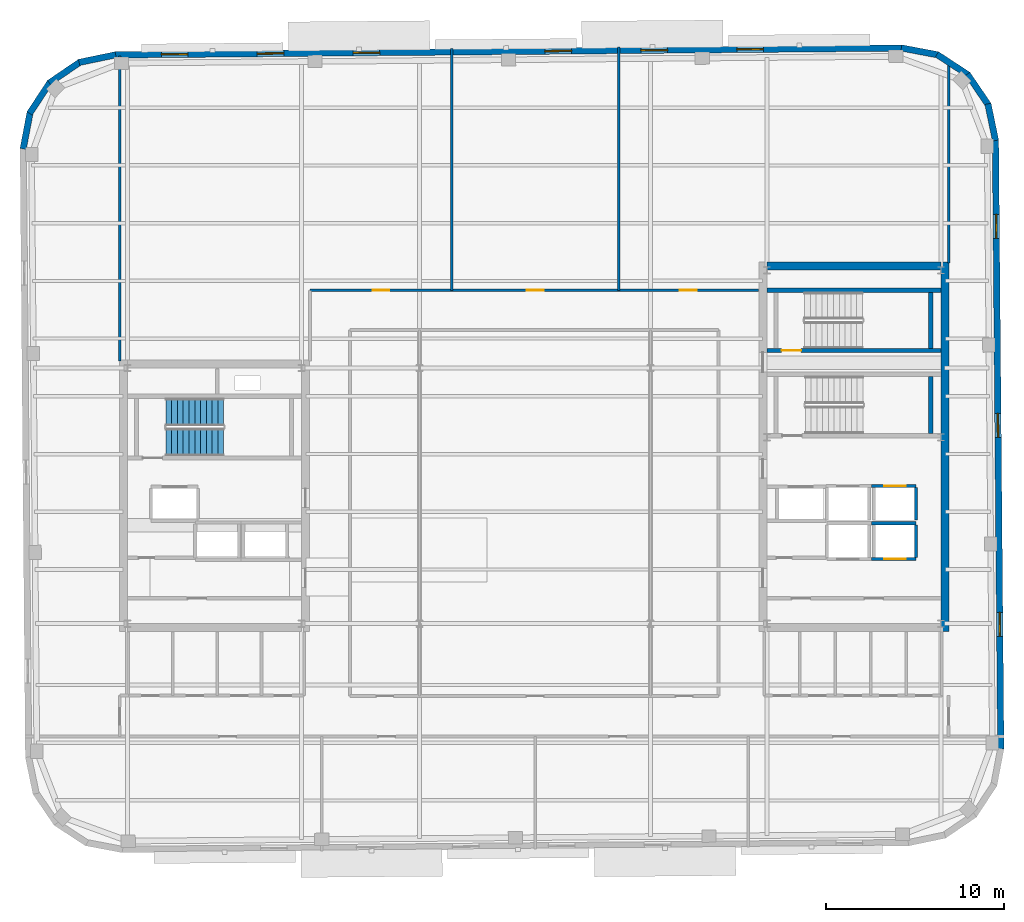
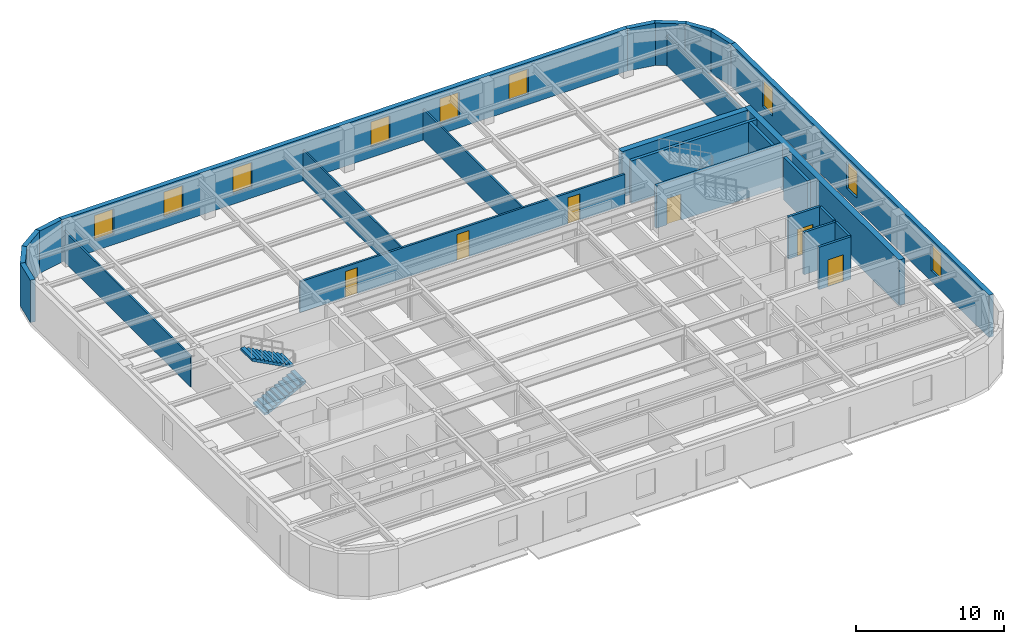
# One storey, part 9 of 13: 26 walls, 9 windows, 6 doors, 2 stair flights, 15 openings, 1 element without a shape of its own.
"""IFC4 building model written with IfcOpenShell, lengths in metres."""

from ifc_helpers import new_model, si_unit, direction, frame, frame_2d, origin, place, context, subcontext, project, spatial, polyline, rectangle, outline, extrude, material, layer, layer_set, type_object, element, fill, aggregate, save


model = new_model("IFC4")

# Units and contexts
model_context = context("Model", 3, precision=1e-05, world=origin(), true_north=direction((0.0, 1.0)))
body_context = subcontext(model_context, "Body", "Model", "MODEL_VIEW")
ifc_project = project(units=[si_unit("LENGTHUNIT", "METRE"), si_unit("AREAUNIT", "SQUARE_METRE"), si_unit("VOLUMEUNIT", "CUBIC_METRE"), si_unit("PLANEANGLEUNIT", "RADIAN"), si_unit("MASSUNIT", "GRAM", prefix="KILO")], contexts=[model_context])

# Site, building, storey
site_placement = place(None, origin())
site = spatial("IfcSite", under=ifc_project, at=site_placement, CompositionType="ELEMENT")
building_placement = place(site_placement, origin())
building = spatial("IfcBuilding", under=site, at=building_placement, Name="Kolvaren Arena Tower", CompositionType="ELEMENT")
storey_placement = place(building_placement, frame((0.0, 0.0, 278.64990234375)))
storey = spatial("IfcBuildingStorey", under=building, at=storey_placement, Name="L68", CompositionType="ELEMENT", Elevation=278.64990234375)

# Wall, openings, doors
ifc_material_1 = material(Name="Gypsum board acoustic assembly", Category="gypsum")
ifc_layer_1 = layer(ifc_material_1, 0.159912109375)
ifc_layer_set_1 = layer_set([ifc_layer_1], Name="Gypsum board acoustic assembly")
wall_type_1 = type_object("IfcWallType", Name="CORR-160", PredefinedType="PARTITIONING", material=ifc_layer_set_1)
wall_1_placement = place(storey_placement, frame((24.820068359375, 38.219970703125, 0.0), z_axis=(0.0, 0.0, 1.0), x_axis=(1.0, 0.0, 0.0)))
wall_1 = element("IfcWall", 1, at=wall_1_placement, inside=storey, type_object=wall_type_1, Name="Interior Partition Wall (L68)", PredefinedType="PARTITIONING", context=body_context, shape_type="SweptSolid", body=[
    extrude(rectangle(XDim=25.260009765625, YDim=0.159912109375, at=frame_2d((12.6298828125, 0.0))), origin(), (0.0, 0.0, 1.0), 2.5400390625),
])
opening_1_placement = place(wall_1_placement, frame((3.530029296875, 0.0, 0.0)))
opening_1 = element("IfcOpeningElement", 2, at=opening_1_placement, cuts=wall_1, Name="Opening D05", PredefinedType="OPENING", context=body_context, shape_type="SweptSolid", body=[
    extrude(rectangle(XDim=0.949951171875, YDim=2.14990234375, at=frame_2d((0.47509765625, 1.074951171875))), frame((0.0, 0.08984375, 0.0), z_axis=(0.0, -1.0, 0.0), x_axis=(1.0, 0.0, 0.0)), (0.0, 0.0, 1.0), 0.179931640625),
])
opening_2_placement = place(wall_1_placement, frame((12.205078125, 0.0, 0.0)))
opening_2 = element("IfcOpeningElement", 3, at=opening_2_placement, cuts=wall_1, Name="Opening D05", PredefinedType="OPENING", context=body_context, shape_type="SweptSolid", body=[
    extrude(rectangle(XDim=0.949951171875, YDim=2.14990234375, at=frame_2d((0.47509765625, 1.074951171875))), frame((0.0, 0.08984375, 0.0), z_axis=(0.0, -1.0, 0.0), x_axis=(1.0, 0.0, 0.0)), (0.0, 0.0, 1.0), 0.179931640625),
])
opening_3_placement = place(wall_1_placement, frame((20.830078125, 0.0, 0.0)))
opening_3 = element("IfcOpeningElement", 4, at=opening_3_placement, cuts=wall_1, Name="Opening D05", PredefinedType="OPENING", context=body_context, shape_type="SweptSolid", body=[
    extrude(rectangle(XDim=0.949951171875, YDim=2.14990234375, at=frame_2d((0.47509765625, 1.074951171875))), frame((0.0, 0.08984375, 0.0), z_axis=(0.0, -1.0, 0.0), x_axis=(1.0, 0.0, 0.0)), (0.0, 0.0, 1.0), 0.179931640625),
])
ifc_material_2 = material(Name="Solid-core oak acoustic office door", Category="wood")
door_type_1 = type_object("IfcDoorType", Name="DOOR-OF-095", OperationType="NOTDEFINED", PredefinedType="DOOR", material=ifc_material_2)
door_1_placement = place(opening_1_placement, origin())
door_1 = element("IfcDoor", 5, at=door_1_placement, inside=storey, type_object=door_type_1, Name="Corporate Project Office Door (L68)", OperationType="SINGLE_SWING_RIGHT", OverallHeight=2.14990234375, OverallWidth=0.949951171875, PredefinedType="DOOR", context=body_context, shape_type="SweptSolid", body=[
    extrude(rectangle(XDim=0.949951171875, YDim=2.14990234375, at=frame_2d((0.47509765625, 1.074951171875))), frame((0.0, 0.02490234375, 0.0), z_axis=(0.0, -1.0, 0.0), x_axis=(1.0, 0.0, 0.0)), (0.0, 0.0, 1.0), 0.050048828125),
])
fill(opening_1, door_1)
door_2_placement = place(opening_2_placement, origin())
door_2 = element("IfcDoor", 6, at=door_2_placement, inside=storey, type_object=door_type_1, Name="Breakout Pantry and Kitchen Door (L68)", OperationType="SINGLE_SWING_LEFT", OverallHeight=2.14990234375, OverallWidth=0.949951171875, PredefinedType="DOOR", context=body_context, shape_type="SweptSolid", body=[
    extrude(rectangle(XDim=0.949951171875, YDim=2.14990234375, at=frame_2d((0.47509765625, 1.074951171875))), frame((0.0, 0.02490234375, 0.0), z_axis=(0.0, -1.0, 0.0), x_axis=(1.0, 0.0, 0.0)), (0.0, 0.0, 1.0), 0.050048828125),
])
fill(opening_2, door_2)
door_3_placement = place(opening_3_placement, origin())
door_3 = element("IfcDoor", 7, at=door_3_placement, inside=storey, type_object=door_type_1, Name="Wellness Room Door (L68)", OperationType="SINGLE_SWING_RIGHT", OverallHeight=2.14990234375, OverallWidth=0.949951171875, PredefinedType="DOOR", context=body_context, shape_type="SweptSolid", body=[
    extrude(rectangle(XDim=0.949951171875, YDim=2.14990234375, at=frame_2d((0.47509765625, 1.074951171875))), frame((0.0, 0.02490234375, 0.0), z_axis=(0.0, -1.0, 0.0), x_axis=(1.0, 0.0, 0.0)), (0.0, 0.0, 1.0), 0.050048828125),
])
fill(opening_3, door_3)

# Walls
ifc_material_3 = material(Name="Concrete 55 MPa", Category="concrete")
ifc_layer_2 = layer(ifc_material_3, 0.449951171875)
ifc_layer_set_2 = layer_set([ifc_layer_2], Name="Concrete 55 MPa")
wall_type_2 = type_object("IfcWallType", Name="CWALL-450", PredefinedType="SHEAR", material=ifc_layer_set_2)
wall_2_placement = place(storey_placement, frame((60.574951171875, 19.0, -0.27001953125), z_axis=(0.0, 0.0, 1.0), x_axis=(0.0, 1.0, 0.0)))
element("IfcWall", 8, at=wall_2_placement, inside=storey, type_object=wall_type_2, Name="Core Shear Wall EC-EAST (L68)", PredefinedType="SHEAR", context=body_context, shape_type="SweptSolid", body=[
    extrude(rectangle(XDim=20.800048828125, YDim=0.449951171875, at=frame_2d((10.39990234375, 0.0))), origin(), (0.0, 0.0, 1.0), 3.75),
])
wall_3_placement = place(storey_placement, frame((50.550048828125, 39.574951171875, -0.27001953125), z_axis=(0.0, 0.0, 1.0), x_axis=(1.0, 0.0, 0.0)))
element("IfcWall", 9, at=wall_3_placement, inside=storey, type_object=wall_type_2, Name="Core Shear Wall EC-NORTH (L68)", PredefinedType="SHEAR", context=body_context, shape_type="SweptSolid", body=[
    extrude(rectangle(XDim=9.800048828125, YDim=0.449951171875, at=frame_2d((4.89990234375, 0.0))), origin(), (0.0, 0.0, 1.0), 3.75),
])

# Wall, openings, windows
ifc_material_4 = material(Name="Precast concrete C50/60", Category="concrete")
ifc_layer_3 = layer(ifc_material_4, 0.360107421875)
ifc_layer_set_3 = layer_set([ifc_layer_3], Name="Precast concrete C50/60")
wall_type_3 = type_object("IfcWallType", Name="EXT-PIER2", PredefinedType="SOLIDWALL", material=ifc_layer_set_3)
wall_4_placement = place(storey_placement, frame((63.419189453125, 46.688232421875, 0.0), z_axis=(0.0, 0.0, 1.0), x_axis=(0.008726391715, -0.999961924319, 0.0)))
wall_4 = element("IfcWall", 10, at=wall_4_placement, inside=storey, type_object=wall_type_3, Name="Exterior Precast Masonry-Frame Wall (L68)", PredefinedType="SOLIDWALL", context=body_context, shape_type="SweptSolid", body=[
    extrude(rectangle(XDim=34.300048828125, YDim=0.360107421875, at=frame_2d((17.14990234375, 0.0))), origin(), (0.0, 0.0, 1.0), 3.47998046875),
])
opening_4_placement = place(wall_4_placement, frame((4.199951171875, 0.0, 0.8798828125)))
opening_4 = element("IfcOpeningElement", 11, at=opening_4_placement, cuts=wall_4, Name="Opening W04", PredefinedType="OPENING", context=body_context, shape_type="SweptSolid", body=[
    extrude(rectangle(XDim=1.35009765625, YDim=2.199951171875, at=frame_2d((0.675048828125, 1.10009765625))), frame((0.0, 0.18994140625, 0.0), z_axis=(0.0, -1.0, 0.0), x_axis=(1.0, 0.0, 0.0)), (0.0, 0.0, 1.0), 0.380126953125),
])
opening_5_placement = place(wall_4_placement, frame((15.39990234375, 0.0, 0.8798828125)))
opening_5 = element("IfcOpeningElement", 12, at=opening_5_placement, cuts=wall_4, Name="Opening W04", PredefinedType="OPENING", context=body_context, shape_type="SweptSolid", body=[
    extrude(rectangle(XDim=1.35009765625, YDim=2.199951171875, at=frame_2d((0.675048828125, 1.10009765625))), frame((0.0, 0.18994140625, 0.0), z_axis=(0.0, -1.0, 0.0), x_axis=(1.0, 0.0, 0.0)), (0.0, 0.0, 1.0), 0.380126953125),
])
opening_6_placement = place(wall_4_placement, frame((26.60009765625, 0.0, 0.8798828125)))
opening_6 = element("IfcOpeningElement", 13, at=opening_6_placement, cuts=wall_4, Name="Opening W04", PredefinedType="OPENING", context=body_context, shape_type="SweptSolid", body=[
    extrude(rectangle(XDim=1.35009765625, YDim=2.199951171875, at=frame_2d((0.675048828125, 1.10009765625))), frame((0.0, 0.18994140625, 0.0), z_axis=(0.0, -1.0, 0.0), x_axis=(1.0, 0.0, 0.0)), (0.0, 0.0, 1.0), 0.380126953125),
])
ifc_material_5 = material(Name="Triple-glazed curved-facet corner window", Category="glass")
window_type_1 = type_object("IfcWindowType", Name="WIN-CRN-A", PartitioningType="SINGLE_PANEL", PredefinedType="WINDOW", material=ifc_material_5)
window_1_placement = place(opening_4_placement, origin())
window_1 = element("IfcWindow", 14, at=window_1_placement, inside=storey, type_object=window_type_1, Name="End-Wall Punched Window (L68)", OverallHeight=2.199951171875, OverallWidth=1.35009765625, PartitioningType="SINGLE_PANEL", PredefinedType="WINDOW", context=body_context, shape_type="SweptSolid", body=[
    extrude(rectangle(XDim=1.35009765625, YDim=2.199951171875, at=frame_2d((0.675048828125, 1.10009765625))), frame((0.0, 0.030029296875, 0.0), z_axis=(0.0, -1.0, 0.0), x_axis=(1.0, 0.0, 0.0)), (0.0, 0.0, 1.0), 0.06005859375),
])
fill(opening_4, window_1)
window_2_placement = place(opening_5_placement, origin())
window_2 = element("IfcWindow", 15, at=window_2_placement, inside=storey, type_object=window_type_1, Name="End-Wall Punched Window (L68)", OverallHeight=2.199951171875, OverallWidth=1.35009765625, PartitioningType="SINGLE_PANEL", PredefinedType="WINDOW", context=body_context, shape_type="SweptSolid", body=[
    extrude(rectangle(XDim=1.35009765625, YDim=2.199951171875, at=frame_2d((0.675048828125, 1.10009765625))), frame((0.0, 0.030029296875, 0.0), z_axis=(0.0, -1.0, 0.0), x_axis=(1.0, 0.0, 0.0)), (0.0, 0.0, 1.0), 0.06005859375),
])
fill(opening_5, window_2)
window_3_placement = place(opening_6_placement, origin())
window_3 = element("IfcWindow", 16, at=window_3_placement, inside=storey, type_object=window_type_1, Name="End-Wall Punched Window (L68)", OverallHeight=2.199951171875, OverallWidth=1.35009765625, PartitioningType="SINGLE_PANEL", PredefinedType="WINDOW", context=body_context, shape_type="SweptSolid", body=[
    extrude(rectangle(XDim=1.35009765625, YDim=2.199951171875, at=frame_2d((0.675048828125, 1.10009765625))), frame((0.0, 0.030029296875, 0.0), z_axis=(0.0, -1.0, 0.0), x_axis=(1.0, 0.0, 0.0)), (0.0, 0.0, 1.0), 0.06005859375),
])
fill(opening_6, window_3)

# Walls
for number, where, z_axis, x_axis, name in (
    (17, (62.993896484375, 48.7158203125, 0.0), (0.0, 0.0, 1.0), (0.203709000552, -0.979031482177, 0.0), "Exterior Precast Masonry-Frame Wall (L68)"),
    (18, (61.835693359375, 50.392822265625, 0.0), (0.0, 0.0, 1.0), (0.562829722645, -0.826572866302, 0.0), "Exterior Precast Masonry-Frame Wall (L68)"),
):
    element("IfcWall", number, at=place(storey_placement, frame(where, z_axis=z_axis, x_axis=x_axis)), inside=storey, type_object=wall_type_3, Name=name, PredefinedType="SOLIDWALL", context=body_context, shape_type="SweptSolid", body=[
        extrude(rectangle(XDim=2.10693359375, YDim=0.360107421875, at=frame_2d((1.053466796875, 0.0))), origin(), (0.0, 0.0, 1.0), 3.47998046875),
    ])
for number, where, z_axis, x_axis, name in (
    (19, (60.123779296875, 51.498779296875, 0.0), (0.0, 0.0, 1.0), (0.83632188969, -0.548238722478, 0.0), "Exterior Precast Masonry-Frame Wall (L68)"),
    (20, (58.118896484375, 51.865478515625, 0.0), (0.0, 0.0, 1.0), (0.982463107022, -0.186457081764, 0.0), "Exterior Precast Masonry-Frame Wall (L68)"),
):
    element("IfcWall", number, at=place(storey_placement, frame(where, z_axis=z_axis, x_axis=x_axis)), inside=storey, type_object=wall_type_3, Name=name, PredefinedType="SOLIDWALL", context=body_context, shape_type="SweptSolid", body=[
        extrude(rectangle(XDim=2.106689453125, YDim=0.360107421875, at=frame_2d((1.05322265625, 0.0))), origin(), (0.0, 0.0, 1.0), 3.47998046875),
    ])

# Wall, openings, windows
wall_5_placement = place(storey_placement, frame((13.855712890625, 51.475830078125, 0.0), z_axis=(0.0, 0.0, 1.0), x_axis=(0.999961944954, 0.008724026757, 0.0)))
wall_5 = element("IfcWall", 21, at=wall_5_placement, inside=storey, type_object=wall_type_3, Name="Exterior Precast Masonry-Frame Wall (L68)", PredefinedType="SOLIDWALL", context=body_context, shape_type="SweptSolid", body=[
    extrude(rectangle(XDim=44.300048828125, YDim=0.360107421875, at=frame_2d((22.14990234375, 0.0))), origin(), (0.0, 0.0, 1.0), 3.47998046875),
])
opening_7_placement = place(wall_5_placement, frame((2.60009765625, 0.0, 0.8798828125)))
opening_7 = element("IfcOpeningElement", 22, at=opening_7_placement, cuts=wall_5, Name="Opening W03", PredefinedType="OPENING", context=body_context, shape_type="SweptSolid", body=[
    extrude(rectangle(XDim=1.5, YDim=2.050048828125, at=frame_2d((0.75, 1.02490234375))), frame((0.0, 0.18994140625, 0.0), z_axis=(0.0, -1.0, 0.0), x_axis=(1.0, 0.0, 0.0)), (0.0, 0.0, 1.0), 0.380126953125),
])
opening_8_placement = place(wall_5_placement, frame((8.0, 0.0, 0.8798828125)))
opening_8 = element("IfcOpeningElement", 23, at=opening_8_placement, cuts=wall_5, Name="Opening W03", PredefinedType="OPENING", context=body_context, shape_type="SweptSolid", body=[
    extrude(rectangle(XDim=1.5, YDim=2.050048828125, at=frame_2d((0.75, 1.02490234375))), frame((0.0, 0.18994140625, 0.0), z_axis=(0.0, -1.0, 0.0), x_axis=(1.0, 0.0, 0.0)), (0.0, 0.0, 1.0), 0.380126953125),
])
opening_9_placement = place(wall_5_placement, frame((13.39990234375, 0.0, 0.8798828125)))
opening_9 = element("IfcOpeningElement", 24, at=opening_9_placement, cuts=wall_5, Name="Opening W03", PredefinedType="OPENING", context=body_context, shape_type="SweptSolid", body=[
    extrude(rectangle(XDim=1.5, YDim=2.050048828125, at=frame_2d((0.75, 1.02490234375))), frame((0.0, 0.18994140625, 0.0), z_axis=(0.0, -1.0, 0.0), x_axis=(1.0, 0.0, 0.0)), (0.0, 0.0, 1.0), 0.380126953125),
])
opening_10_placement = place(wall_5_placement, frame((24.199951171875, 0.0, 0.8798828125)))
opening_10 = element("IfcOpeningElement", 25, at=opening_10_placement, cuts=wall_5, Name="Opening W03", PredefinedType="OPENING", context=body_context, shape_type="SweptSolid", body=[
    extrude(rectangle(XDim=1.5, YDim=2.050048828125, at=frame_2d((0.75, 1.02490234375))), frame((0.0, 0.18994140625, 0.0), z_axis=(0.0, -1.0, 0.0), x_axis=(1.0, 0.0, 0.0)), (0.0, 0.0, 1.0), 0.380126953125),
])
opening_11_placement = place(wall_5_placement, frame((29.60009765625, 0.0, 0.8798828125)))
opening_11 = element("IfcOpeningElement", 26, at=opening_11_placement, cuts=wall_5, Name="Opening W03", PredefinedType="OPENING", context=body_context, shape_type="SweptSolid", body=[
    extrude(rectangle(XDim=1.5, YDim=2.050048828125, at=frame_2d((0.75, 1.02490234375))), frame((0.0, 0.18994140625, 0.0), z_axis=(0.0, -1.0, 0.0), x_axis=(1.0, 0.0, 0.0)), (0.0, 0.0, 1.0), 0.380126953125),
])
opening_12_placement = place(wall_5_placement, frame((35.0, 0.0, 0.8798828125)))
opening_12 = element("IfcOpeningElement", 27, at=opening_12_placement, cuts=wall_5, Name="Opening W03", PredefinedType="OPENING", context=body_context, shape_type="SweptSolid", body=[
    extrude(rectangle(XDim=1.5, YDim=2.050048828125, at=frame_2d((0.75, 1.02490234375))), frame((0.0, 0.18994140625, 0.0), z_axis=(0.0, -1.0, 0.0), x_axis=(1.0, 0.0, 0.0)), (0.0, 0.0, 1.0), 0.380126953125),
])
ifc_material_6 = material(Name="Triple-glazed low-E aluminium window", Category="aluminium")
window_type_2 = type_object("IfcWindowType", Name="WIN-OFF-C", PartitioningType="SINGLE_PANEL", PredefinedType="WINDOW", material=ifc_material_6)
window_4_placement = place(opening_7_placement, origin())
window_4 = element("IfcWindow", 28, at=window_4_placement, inside=storey, type_object=window_type_2, Name="Punched Precast-Pier Window (L68)", OverallHeight=2.050048828125, OverallWidth=1.5, PartitioningType="SINGLE_PANEL", PredefinedType="WINDOW", context=body_context, shape_type="SweptSolid", body=[
    extrude(rectangle(XDim=1.5, YDim=2.050048828125, at=frame_2d((0.75, 1.02490234375))), frame((0.0, 0.030029296875, 0.0), z_axis=(0.0, -1.0, 0.0), x_axis=(1.0, 0.0, 0.0)), (0.0, 0.0, 1.0), 0.06005859375),
])
fill(opening_7, window_4)
window_5_placement = place(opening_8_placement, origin())
window_5 = element("IfcWindow", 29, at=window_5_placement, inside=storey, type_object=window_type_2, Name="Punched Precast-Pier Window (L68)", OverallHeight=2.050048828125, OverallWidth=1.5, PartitioningType="SINGLE_PANEL", PredefinedType="WINDOW", context=body_context, shape_type="SweptSolid", body=[
    extrude(rectangle(XDim=1.5, YDim=2.050048828125, at=frame_2d((0.75, 1.02490234375))), frame((0.0, 0.030029296875, 0.0), z_axis=(0.0, -1.0, 0.0), x_axis=(1.0, 0.0, 0.0)), (0.0, 0.0, 1.0), 0.06005859375),
])
fill(opening_8, window_5)
window_6_placement = place(opening_9_placement, origin())
window_6 = element("IfcWindow", 30, at=window_6_placement, inside=storey, type_object=window_type_2, Name="Punched Precast-Pier Window (L68)", OverallHeight=2.050048828125, OverallWidth=1.5, PartitioningType="SINGLE_PANEL", PredefinedType="WINDOW", context=body_context, shape_type="SweptSolid", body=[
    extrude(rectangle(XDim=1.5, YDim=2.050048828125, at=frame_2d((0.75, 1.02490234375))), frame((0.0, 0.030029296875, 0.0), z_axis=(0.0, -1.0, 0.0), x_axis=(1.0, 0.0, 0.0)), (0.0, 0.0, 1.0), 0.06005859375),
])
fill(opening_9, window_6)
window_7_placement = place(opening_10_placement, origin())
window_7 = element("IfcWindow", 31, at=window_7_placement, inside=storey, type_object=window_type_2, Name="Punched Precast-Pier Window (L68)", OverallHeight=2.050048828125, OverallWidth=1.5, PartitioningType="SINGLE_PANEL", PredefinedType="WINDOW", context=body_context, shape_type="SweptSolid", body=[
    extrude(rectangle(XDim=1.5, YDim=2.050048828125, at=frame_2d((0.75, 1.02490234375))), frame((0.0, 0.030029296875, 0.0), z_axis=(0.0, -1.0, 0.0), x_axis=(1.0, 0.0, 0.0)), (0.0, 0.0, 1.0), 0.06005859375),
])
fill(opening_10, window_7)
window_8_placement = place(opening_11_placement, origin())
window_8 = element("IfcWindow", 32, at=window_8_placement, inside=storey, type_object=window_type_2, Name="Punched Precast-Pier Window (L68)", OverallHeight=2.050048828125, OverallWidth=1.5, PartitioningType="SINGLE_PANEL", PredefinedType="WINDOW", context=body_context, shape_type="SweptSolid", body=[
    extrude(rectangle(XDim=1.5, YDim=2.050048828125, at=frame_2d((0.75, 1.02490234375))), frame((0.0, 0.030029296875, 0.0), z_axis=(0.0, -1.0, 0.0), x_axis=(1.0, 0.0, 0.0)), (0.0, 0.0, 1.0), 0.06005859375),
])
fill(opening_11, window_8)
window_9_placement = place(opening_12_placement, origin())
window_9 = element("IfcWindow", 33, at=window_9_placement, inside=storey, type_object=window_type_2, Name="Punched Precast-Pier Window (L68)", OverallHeight=2.050048828125, OverallWidth=1.5, PartitioningType="SINGLE_PANEL", PredefinedType="WINDOW", context=body_context, shape_type="SweptSolid", body=[
    extrude(rectangle(XDim=1.5, YDim=2.050048828125, at=frame_2d((0.75, 1.02490234375))), frame((0.0, 0.030029296875, 0.0), z_axis=(0.0, -1.0, 0.0), x_axis=(1.0, 0.0, 0.0)), (0.0, 0.0, 1.0), 0.06005859375),
])
fill(opening_12, window_9)

# Walls
for number, where, z_axis, x_axis, name in (
    (34, (11.827880859375, 51.050537109375, 0.0), (0.0, 0.0, 1.0), (0.97905458633, 0.203597929717, 0.0), "Exterior Precast Masonry-Frame Wall (L68)"),
    (35, (10.15087890625, 49.89208984375, 0.0), (0.0, 0.0, 1.0), (0.826609569219, 0.56277581689, 0.0), "Exterior Precast Masonry-Frame Wall (L68)"),
):
    element("IfcWall", number, at=place(storey_placement, frame(where, z_axis=z_axis, x_axis=x_axis)), inside=storey, type_object=wall_type_3, Name=name, PredefinedType="SOLIDWALL", context=body_context, shape_type="SweptSolid", body=[
        extrude(rectangle(XDim=2.10693359375, YDim=0.360107421875, at=frame_2d((1.053466796875, 0.0))), origin(), (0.0, 0.0, 1.0), 3.47998046875),
    ])
for number, where, z_axis, x_axis, name in (
    (36, (9.044921875, 48.18017578125, 0.0), (0.0, 0.0, 1.0), (0.548266637224, 0.836303589916, 0.0), "Exterior Precast Masonry-Frame Wall (L68)"),
    (37, (8.67822265625, 46.17529296875, 0.0), (0.0, 0.0, 1.0), (0.186547695246, 0.982445905584, 0.0), "Exterior Precast Masonry-Frame Wall (L68)"),
):
    element("IfcWall", number, at=place(storey_placement, frame(where, z_axis=z_axis, x_axis=x_axis)), inside=storey, type_object=wall_type_3, Name=name, PredefinedType="SOLIDWALL", context=body_context, shape_type="SweptSolid", body=[
        extrude(rectangle(XDim=2.107177734375, YDim=0.360107421875, at=frame_2d((1.0537109375, 0.0))), origin(), (0.0, 0.0, 1.0), 3.47998046875),
    ])
ifc_material_7 = material(Name="Gypsum board partition assembly", Category="gypsum")
ifc_layer_4 = layer(ifc_material_7, 0.135009765625)
ifc_layer_set_4 = layer_set([ifc_layer_4], Name="Gypsum board partition assembly")
wall_type_4 = type_object("IfcWallType", Name="PART-135", PredefinedType="PARTITIONING", material=ifc_layer_set_4)
wall_6_placement = place(storey_placement, frame((32.800048828125, 38.219970703125, 0.0), z_axis=(0.0, 0.0, 1.0), x_axis=(0.0, 1.0, 0.0)))
element("IfcWall", 38, at=wall_6_placement, inside=storey, type_object=wall_type_4, Name="Interior Partition Wall (L68)", PredefinedType="PARTITIONING", context=body_context, shape_type="SweptSolid", body=[
    extrude(rectangle(XDim=13.60107421875, YDim=0.135009765625, at=frame_2d((6.800537109375, 0.0))), origin(), (0.0, 0.0, 1.0), 2.5400390625),
])
wall_7_placement = place(storey_placement, frame((42.199951171875, 38.219970703125, 0.0), z_axis=(0.0, 0.0, 1.0), x_axis=(0.0, 1.0, 0.0)))
element("IfcWall", 39, at=wall_7_placement, inside=storey, type_object=wall_type_4, Name="Interior Partition Wall (L68)", PredefinedType="PARTITIONING", context=body_context, shape_type="SweptSolid", body=[
    extrude(rectangle(XDim=13.683349609375, YDim=0.135009765625, at=frame_2d((6.841796875, 0.0))), origin(), (0.0, 0.0, 1.0), 2.5400390625),
])
wall_8_placement = place(storey_placement, frame((14.1201171875, 34.25, 0.0), z_axis=(0.0, 0.0, 1.0), x_axis=(0.0, 1.0, 0.0)))
element("IfcWall", 40, at=wall_8_placement, inside=storey, type_object=wall_type_4, Name="Interior Partition Wall (L68)", PredefinedType="PARTITIONING", context=body_context, shape_type="SweptSolid", body=[
    extrude(rectangle(XDim=17.168212890625, YDim=0.135009765625, at=frame_2d((8.583984375, 0.0))), origin(), (0.0, 0.0, 1.0), 2.5400390625),
])
wall_9_placement = place(storey_placement, frame((60.780029296875, 39.75, 0.0), z_axis=(0.0, 0.0, 1.0), x_axis=(0.0, 1.0, 0.0)))
element("IfcWall", 41, at=wall_9_placement, inside=storey, type_object=wall_type_4, Name="Interior Partition Wall (L68)", PredefinedType="PARTITIONING", context=body_context, shape_type="SweptSolid", body=[
    extrude(rectangle(XDim=11.246826171875, YDim=0.135009765625, at=frame_2d((5.62353515625, 0.0))), origin(), (0.0, 0.0, 1.0), 2.5400390625),
])
ifc_material_8 = material(Name="Concrete 45 MPa", Category="concrete")
ifc_layer_5 = layer(ifc_material_8, 0.25)
ifc_layer_set_5 = layer_set([ifc_layer_5], Name="Concrete 45 MPa")
wall_type_5 = type_object("IfcWallType", Name="SHAFT-250", PredefinedType="SOLIDWALL", material=ifc_layer_set_5)
wall_10_placement = place(storey_placement, frame((59.780029296875, 30.14990234375, 0.0), z_axis=(0.0, 0.0, 1.0), x_axis=(0.0, 1.0, 0.0)))
element("IfcWall", 42, at=wall_10_placement, inside=storey, type_object=wall_type_5, Name="Core Shaft Wall (L68)", PredefinedType="SOLIDWALL", context=body_context, shape_type="SweptSolid", body=[
    extrude(rectangle(XDim=3.22998046875, YDim=0.239990234375, at=frame_2d((1.614990234375, 0.0))), origin(), (0.0, 0.0, 1.0), 3.47998046875),
])

# Wall, opening, door
wall_11_placement = place(storey_placement, frame((60.35009765625, 34.830078125, 0.0), z_axis=(0.0, 0.0, 1.0), x_axis=(-1.0, 0.0, 0.0)))
wall_11 = element("IfcWall", 43, at=wall_11_placement, inside=storey, type_object=wall_type_5, Name="Core Shaft Wall (L68)", PredefinedType="SOLIDWALL", context=body_context, shape_type="SweptSolid", body=[
    extrude(rectangle(XDim=9.800048828125, YDim=0.239990234375, at=frame_2d((4.89990234375, 0.0))), origin(), (0.0, 0.0, 1.0), 3.47998046875),
])
opening_13_placement = place(wall_11_placement, frame((7.8701171875, 0.0, 0.0)))
opening_13 = element("IfcOpeningElement", 44, at=opening_13_placement, cuts=wall_11, Name="Opening D03", PredefinedType="OPENING", context=body_context, shape_type="SweptSolid", body=[
    extrude(rectangle(XDim=1.10009765625, YDim=2.14990234375, at=frame_2d((0.550048828125, 1.074951171875))), frame((0.0, 0.1298828125, 0.0), z_axis=(0.0, -1.0, 0.0), x_axis=(1.0, 0.0, 0.0)), (0.0, 0.0, 1.0), 0.260009765625),
])
ifc_material_9 = material(Name="Fire-rated steel exit stair door", Category="steel")
door_type_2 = type_object("IfcDoorType", Name="DOOR-ST-110", OperationType="NOTDEFINED", PredefinedType="DOOR", material=ifc_material_9)
door_4_placement = place(opening_13_placement, origin())
door_4 = element("IfcDoor", 45, at=door_4_placement, inside=storey, type_object=door_type_2, Name="Stair ST-E2 Fire Door (L68)", OperationType="SINGLE_SWING_LEFT", OverallHeight=2.14990234375, OverallWidth=1.10009765625, PredefinedType="DOOR", context=body_context, shape_type="SweptSolid", body=[
    extrude(rectangle(XDim=1.10009765625, YDim=2.14990234375, at=frame_2d((0.550048828125, 1.074951171875))), frame((0.0, 0.02490234375, 0.0), z_axis=(0.0, -1.0, 0.0), x_axis=(1.0, 0.0, 0.0)), (0.0, 0.0, 1.0), 0.050048828125),
])
fill(opening_13, door_4)

# Walls
wall_12_placement = place(storey_placement, frame((50.550048828125, 38.219970703125, 0.0), z_axis=(0.0, 0.0, 1.0), x_axis=(1.0, 0.0, 0.0)))
element("IfcWall", 46, at=wall_12_placement, inside=storey, type_object=wall_type_5, Name="Core Shaft Wall (L68)", PredefinedType="SOLIDWALL", context=body_context, shape_type="SweptSolid", body=[
    extrude(rectangle(XDim=9.800048828125, YDim=0.239990234375, at=frame_2d((4.89990234375, 0.0))), origin(), (0.0, 0.0, 1.0), 3.47998046875),
])
wall_13_placement = place(storey_placement, frame((59.780029296875, 34.949951171875, 0.0), z_axis=(0.0, 0.0, 1.0), x_axis=(0.0, 1.0, 0.0)))
element("IfcWall", 47, at=wall_13_placement, inside=storey, type_object=wall_type_5, Name="Core Shaft Wall (L68)", PredefinedType="SOLIDWALL", context=body_context, shape_type="SweptSolid", body=[
    extrude(rectangle(XDim=3.150146484375, YDim=0.239990234375, at=frame_2d((1.5751953125, 0.0))), origin(), (0.0, 0.0, 1.0), 3.47998046875),
])
wall_14_placement = place(storey_placement, frame((56.43994140625, 25.10498046875, 0.0), z_axis=(0.0, 0.0, 1.0), x_axis=(1.0, 0.0, 0.0)))
element("IfcWall", 48, at=wall_14_placement, inside=storey, type_object=wall_type_5, Name="Core Shaft Wall (L68)", PredefinedType="SOLIDWALL", context=body_context, shape_type="SweptSolid", body=[
    extrude(rectangle(XDim=2.5, YDim=0.179931640625, at=frame_2d((1.25, 0.0))), origin(), (0.0, 0.0, 1.0), 3.47998046875),
])

# Wall, opening, door
wall_15_placement = place(storey_placement, frame((56.43994140625, 23.094970703125, 0.0), z_axis=(0.0, 0.0, 1.0), x_axis=(1.0, 0.0, 0.0)))
wall_15 = element("IfcWall", 49, at=wall_15_placement, inside=storey, type_object=wall_type_5, Name="Core Shaft Wall (L68)", PredefinedType="SOLIDWALL", context=body_context, shape_type="SweptSolid", body=[
    extrude(rectangle(XDim=2.5, YDim=0.179931640625, at=frame_2d((1.25, 0.0))), origin(), (0.0, 0.0, 1.0), 3.47998046875),
])
opening_14_placement = place(wall_15_placement, frame((0.719970703125, 0.0, 0.0)))
opening_14 = element("IfcOpeningElement", 50, at=opening_14_placement, cuts=wall_15, Name="Opening LD1", PredefinedType="OPENING", context=body_context, shape_type="SweptSolid", body=[
    extrude(rectangle(XDim=1.199951171875, YDim=2.199951171875, at=frame_2d((0.60009765625, 1.10009765625))), frame((0.0, 0.099853515625, 0.0), z_axis=(0.0, -1.0, 0.0), x_axis=(1.0, 0.0, 0.0)), (0.0, 0.0, 1.0), 0.199951171875),
])
ifc_material_10 = material(Name="Stainless steel passenger lift landing door", Category="steel")
door_type_3 = type_object("IfcDoorType", Name="DOOR-LD-120", OperationType="DOUBLE_DOOR_SLIDING", PredefinedType="DOOR", material=ifc_material_10)
door_5_placement = place(opening_14_placement, origin())
door_5 = element("IfcDoor", 51, at=door_5_placement, inside=storey, type_object=door_type_3, Name="Lift EL-HR2 Landing Door (L68)", OperationType="DOUBLE_DOOR_SLIDING", OverallHeight=2.199951171875, OverallWidth=1.199951171875, PredefinedType="DOOR", context=body_context, shape_type="SweptSolid", body=[
    extrude(rectangle(XDim=1.199951171875, YDim=2.199951171875, at=frame_2d((0.60009765625, 1.10009765625))), frame((0.0, 0.02490234375, 0.0), z_axis=(0.0, -1.0, 0.0), x_axis=(1.0, 0.0, 0.0)), (0.0, 0.0, 1.0), 0.050048828125),
])
fill(opening_14, door_5)

# Wall
wall_16_placement = place(storey_placement, frame((58.93994140625, 23.18505859375, 0.0), z_axis=(0.0, 0.0, 1.0), x_axis=(0.0, 1.0, 0.0)))
element("IfcWall", 52, at=wall_16_placement, inside=storey, type_object=wall_type_5, Name="Core Shaft Wall (L68)", PredefinedType="SOLIDWALL", context=body_context, shape_type="SweptSolid", body=[
    extrude(rectangle(XDim=1.829833984375, YDim=0.179931640625, at=frame_2d((0.9150390625, 0.0))), origin(), (0.0, 0.0, 1.0), 3.47998046875),
])

# Wall, opening, door
wall_17_placement = place(storey_placement, frame((56.43994140625, 27.205078125, 0.0), z_axis=(0.0, 0.0, 1.0), x_axis=(1.0, 0.0, 0.0)))
wall_17 = element("IfcWall", 53, at=wall_17_placement, inside=storey, type_object=wall_type_5, Name="Core Shaft Wall (L68)", PredefinedType="SOLIDWALL", context=body_context, shape_type="SweptSolid", body=[
    extrude(rectangle(XDim=2.5, YDim=0.179931640625, at=frame_2d((1.25, 0.0))), origin(), (0.0, 0.0, 1.0), 3.47998046875),
])
opening_15_placement = place(wall_17_placement, frame((0.719970703125, 0.0, 0.0)))
opening_15 = element("IfcOpeningElement", 54, at=opening_15_placement, cuts=wall_17, Name="Opening LD1", PredefinedType="OPENING", context=body_context, shape_type="SweptSolid", body=[
    extrude(rectangle(XDim=1.199951171875, YDim=2.199951171875, at=frame_2d((0.60009765625, 1.10009765625))), frame((0.0, 0.099853515625, 0.0), z_axis=(0.0, -1.0, 0.0), x_axis=(1.0, 0.0, 0.0)), (0.0, 0.0, 1.0), 0.199951171875),
])
door_6_placement = place(opening_15_placement, origin())
door_6 = element("IfcDoor", 55, at=door_6_placement, inside=storey, type_object=door_type_3, Name="Lift EL-HR4 Landing Door (L68)", OperationType="DOUBLE_DOOR_SLIDING", OverallHeight=2.199951171875, OverallWidth=1.199951171875, PredefinedType="DOOR", context=body_context, shape_type="SweptSolid", body=[
    extrude(rectangle(XDim=1.199951171875, YDim=2.199951171875, at=frame_2d((0.60009765625, 1.10009765625))), frame((0.0, 0.02490234375, 0.0), z_axis=(0.0, -1.0, 0.0), x_axis=(1.0, 0.0, 0.0)), (0.0, 0.0, 1.0), 0.050048828125),
])
fill(opening_15, door_6)

# Wall
wall_18_placement = place(storey_placement, frame((58.93994140625, 25.284912109375, 0.0), z_axis=(0.0, 0.0, 1.0), x_axis=(0.0, 1.0, 0.0)))
element("IfcWall", 56, at=wall_18_placement, inside=storey, type_object=wall_type_5, Name="Core Shaft Wall (L68)", PredefinedType="SOLIDWALL", context=body_context, shape_type="SweptSolid", body=[
    extrude(rectangle(XDim=1.830078125, YDim=0.179931640625, at=frame_2d((0.9150390625, 0.0))), origin(), (0.0, 0.0, 1.0), 3.47998046875),
])

# Stair, stair flights
stair_type = type_object("IfcStairType", Name="STAIR-CORE-165", PredefinedType="HALF_TURN_STAIR", material=ifc_material_8)
stair_placement = place(storey_placement, origin())
stair = element("IfcStair", 57, at=stair_placement, inside=storey, type_object=stair_type, Name="L68 ST-W1", PredefinedType="HALF_TURN_STAIR")
stair_flight_type = type_object("IfcStairFlightType", Name="FLT-165", PredefinedType="STRAIGHT", material=ifc_material_8)
stair_flight_1_placement = place(storey_placement, frame((16.719970703125, 29.669921875, 0.0), z_axis=(0.0, 0.0, 1.0), x_axis=(1.0, 0.0, 0.0)))
stair_flight_1 = element("IfcStairFlight", 58, at=stair_flight_1_placement, type_object=stair_flight_type, Name="ST-W1 flight 1", NumberOfRisers=11, NumberOfTreads=10, PredefinedType="STRAIGHT", RiserHeight=0.170454545, TreadLength=0.324, context=body_context, shape_type="SweptSolid", body=[
    extrude(outline(polyline([(0.0, 0.0), (0.0, 0.17041015625), (0.323974609375, 0.17041015625), (0.323974609375, 0.3408203125), (0.64794921875, 0.3408203125), (0.64794921875, 0.511474609375), (0.971923828125, 0.511474609375), (0.971923828125, 0.681884765625), (1.2958984375, 0.681884765625), (1.2958984375, 0.852294921875), (1.6201171875, 0.852294921875), (1.6201171875, 1.022705078125), (1.944091796875, 1.022705078125), (1.944091796875, 1.193115234375), (2.26806640625, 1.193115234375), (2.26806640625, 1.363525390625), (2.592041015625, 1.363525390625), (2.592041015625, 1.5341796875), (2.916015625, 1.5341796875), (2.916015625, 1.70458984375), (3.239990234375, 1.70458984375), (3.239990234375, 1.875), (3.239990234375, 1.53515625), (0.322021484375, 0.0), (0.0, 0.0)])), frame((0.0, 0.77001953125, 0.0), z_axis=(0.0, -1.0, 0.0), x_axis=(1.0, 0.0, 0.0)), (0.0, 0.0, 1.0), 1.5400390625),
])
stair_flight_2_placement = place(storey_placement, frame((19.9599609375, 31.360107421875, 1.875), z_axis=(0.0, 0.0, 1.0), x_axis=(-1.0, 0.0, 0.0)))
stair_flight_2 = element("IfcStairFlight", 59, at=stair_flight_2_placement, type_object=stair_flight_type, Name="ST-W1 flight 2", NumberOfRisers=11, NumberOfTreads=10, PredefinedType="STRAIGHT", RiserHeight=0.170454545, TreadLength=0.324, context=body_context, shape_type="SweptSolid", body=[
    extrude(outline(polyline([(0.0, 0.0), (0.0, 0.17041015625), (0.323974609375, 0.17041015625), (0.323974609375, 0.3408203125), (0.64794921875, 0.3408203125), (0.64794921875, 0.511474609375), (0.971923828125, 0.511474609375), (0.971923828125, 0.681884765625), (1.2958984375, 0.681884765625), (1.2958984375, 0.852294921875), (1.6201171875, 0.852294921875), (1.6201171875, 1.022705078125), (1.944091796875, 1.022705078125), (1.944091796875, 1.193115234375), (2.26806640625, 1.193115234375), (2.26806640625, 1.363525390625), (2.592041015625, 1.363525390625), (2.592041015625, 1.5341796875), (2.916015625, 1.5341796875), (2.916015625, 1.70458984375), (3.239990234375, 1.70458984375), (3.239990234375, 1.875), (3.239990234375, 1.53515625), (0.322021484375, 0.0), (0.0, 0.0)])), frame((0.0, 0.77001953125, 0.0), z_axis=(0.0, -1.0, 0.0), x_axis=(1.0, 0.0, 0.0)), (0.0, 0.0, 1.0), 1.5400390625),
])
aggregate(stair, [stair_flight_1, stair_flight_2])

save(model, "model.ifc")
